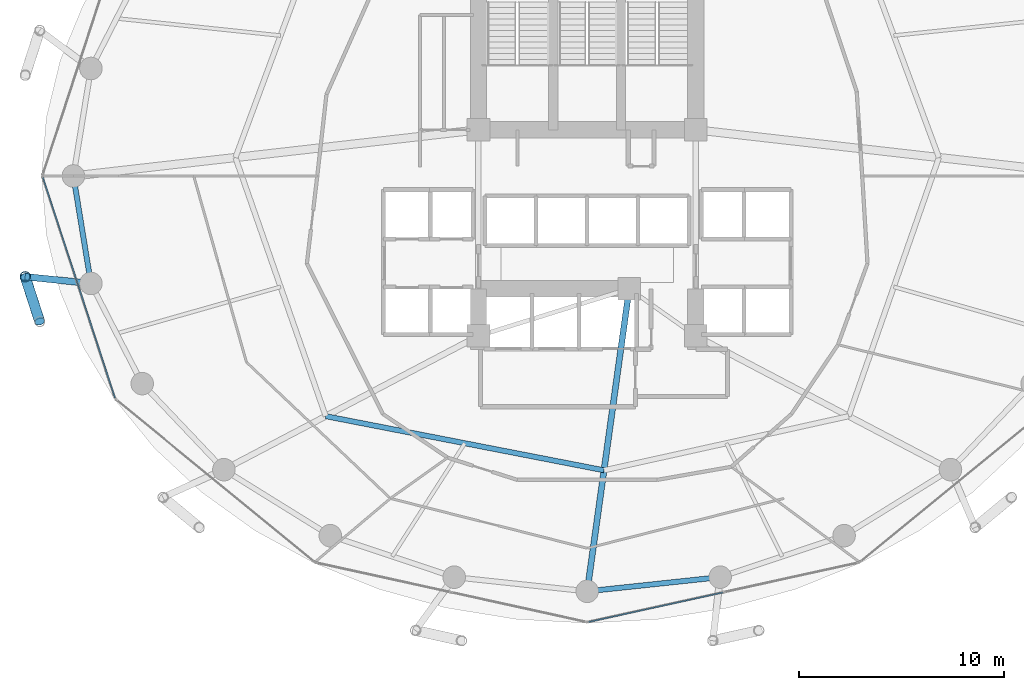
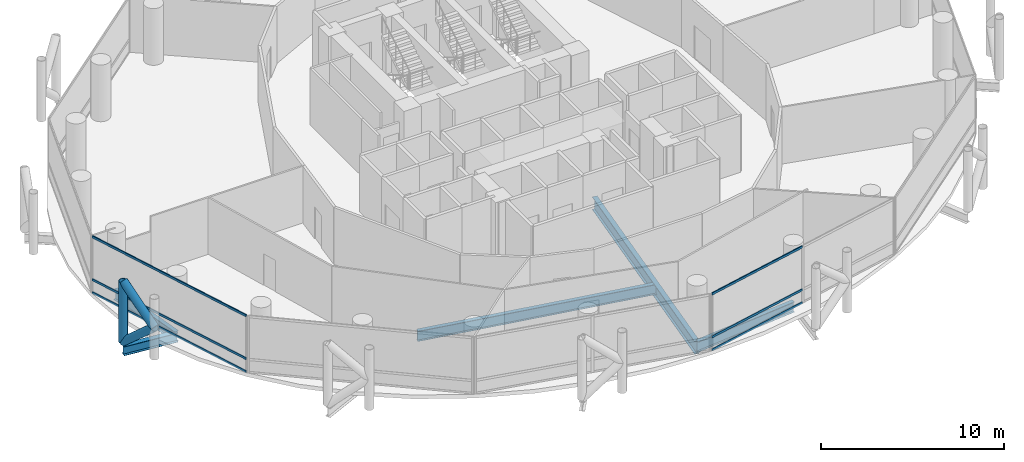
# One storey, part 5 of 24: 9 members, 5 beams, 2 elements without a shape of their own.
"""IFC4 building model written with IfcOpenShell, lengths in metres."""

from ifc_helpers import new_model, si_unit, direction, frame, origin, origin_2d, place, context, subcontext, project, spatial, hollow_rectangle, hollow_circle, i_section, extrude, material, layer, layer_set, material_profile, profile_set, type_object, element, aggregate, save


model = new_model("IFC4")

# Units and contexts
model_context = context("Model", 3, precision=1e-05, world=origin(), true_north=direction((0.0, 1.0)))
body_context = subcontext(model_context, "Body", "Model", "MODEL_VIEW")
ifc_project = project(units=[si_unit("LENGTHUNIT", "METRE"), si_unit("AREAUNIT", "SQUARE_METRE"), si_unit("VOLUMEUNIT", "CUBIC_METRE"), si_unit("PLANEANGLEUNIT", "RADIAN"), si_unit("MASSUNIT", "GRAM", prefix="KILO")], contexts=[model_context])

# Site, building, storey
site_placement = place(None, origin())
site = spatial("IfcSite", under=ifc_project, at=site_placement, CompositionType="ELEMENT")
building_placement = place(site_placement, origin())
building = spatial("IfcBuilding", under=site, at=building_placement, Name="Nuhasar Tower", CompositionType="ELEMENT")
storey_placement = place(building_placement, frame((0.0, 0.0, 33.14990234375)))
storey = spatial("IfcBuildingStorey", under=building, at=storey_placement, Name="L07", CompositionType="ELEMENT", Elevation=33.14990234375)

# Beams
ifc_material_1 = material(Name="Steel S355", Category="steel")
ifc_material_profile_1 = material_profile(ifc_material_1, i_section(OverallWidth=0.25390625, OverallDepth=0.68408203125, WebThickness=0.012451171875, FlangeThickness=0.018798828125, at=origin_2d()), Name="W27X94")
ifc_profile_set_1 = profile_set([ifc_material_profile_1], Name="Steel S355")
beam_type_1 = type_object("IfcBeamType", Name="BM-INRING-W27X94", PredefinedType="BEAM", material=ifc_profile_set_1)
beam_1_placement = place(storey_placement, frame((26.251953125, 15.089111328125, -0.601806640625), z_axis=(0.981602977761, -0.190933480695, 0.0), x_axis=(0.190933480695, 0.981602977761, 0.0)))
element("IfcBeam", 1, at=beam_1_placement, inside=storey, type_object=beam_type_1, Name="L07 Inner Header Beam 01", PredefinedType="BEAM", context=body_context, shape_type="SweptSolid", body=[
    extrude(i_section(OverallWidth=0.25390625, OverallDepth=0.68408203125, WebThickness=0.012451171875, FlangeThickness=0.018798828125, at=origin_2d()), origin(), (0.0, 0.0, 1.0), 13.822509765625),
])
ifc_material_profile_2 = material_profile(ifc_material_1, i_section(OverallWidth=0.2919921875, OverallDepth=0.85888671875, WebThickness=0.01708984375, FlangeThickness=0.031005859375, at=origin_2d()), Name="W33X169")
ifc_profile_set_2 = profile_set([ifc_material_profile_2], Name="Steel S355")
beam_type_2 = type_object("IfcBeamType", Name="BM-POD-W33X169", PredefinedType="BEAM", material=ifc_profile_set_2)
beam_2_placement = place(storey_placement, frame((41.050048828125, 21.300048828125, -0.68896484375), z_axis=(-0.137663087856, -0.990479113481, 0.0), x_axis=(0.990479113481, -0.137663087856, 0.0)))
element("IfcBeam", 2, at=beam_2_placement, inside=storey, type_object=beam_type_2, Name="L07 Radial Floor Girder 02", PredefinedType="BEAM", context=body_context, shape_type="SweptSolid", body=[
    extrude(i_section(OverallWidth=0.2919921875, OverallDepth=0.85888671875, WebThickness=0.01708984375, FlangeThickness=0.031005859375, at=origin_2d()), origin(), (0.0, 0.0, 1.0), 14.891845703125),
])
ifc_material_profile_3 = material_profile(ifc_material_1, i_section(OverallWidth=0.256103515625, OverallDepth=0.693115234375, WebThickness=0.014404296875, FlangeThickness=0.023681640625, at=origin_2d()), Name="W27X114")
ifc_profile_set_3 = profile_set([ifc_material_profile_3], Name="Steel S355")
beam_type_3 = type_object("IfcBeamType", Name="BM-RING-W27X114", PredefinedType="SPANDREL", material=ifc_profile_set_3)
beam_3_placement = place(storey_placement, frame((13.949951171875, 26.800048828125, -0.60595703125), z_axis=(0.160826635486, -0.986982671235, 0.0), x_axis=(0.986982671235, 0.160826635486, 0.0)))
element("IfcBeam", 3, at=beam_3_placement, inside=storey, type_object=beam_type_3, Name="L07 Perimeter Ring Spandrel 13", PredefinedType="SPANDREL", context=body_context, shape_type="SweptSolid", body=[
    extrude(i_section(OverallWidth=0.256103515625, OverallDepth=0.693115234375, WebThickness=0.014404296875, FlangeThickness=0.023681640625, at=origin_2d()), origin(), (0.0, 0.0, 1.0), 5.31005859375),
])
beam_4_placement = place(storey_placement, frame((39.0, 6.550048828125, -0.60595703125), z_axis=(0.994384554061, 0.105827022286, 0.0), x_axis=(-0.105827022286, 0.994384554061, 0.0)))
element("IfcBeam", 4, at=beam_4_placement, inside=storey, type_object=beam_type_3, Name="L07 Perimeter Ring Spandrel 19", PredefinedType="SPANDREL", context=body_context, shape_type="SweptSolid", body=[
    extrude(i_section(OverallWidth=0.256103515625, OverallDepth=0.693115234375, WebThickness=0.014404296875, FlangeThickness=0.023681640625, at=origin_2d()), origin(), (0.0, 0.0, 1.0), 6.51953125),
])
ifc_material_profile_4 = material_profile(ifc_material_1, i_section(OverallWidth=0.323974609375, OverallDepth=0.611083984375, WebThickness=0.0126953125, FlangeThickness=0.01904296875, at=origin_2d()), Name="W24X104")
ifc_profile_set_4 = profile_set([ifc_material_profile_4], Name="Steel S355")
beam_type_4 = type_object("IfcBeamType", Name="BM-TIE-W24X104", PredefinedType="BEAM", material=ifc_profile_set_4)
beam_5_placement = place(storey_placement, frame((14.803955078125, 21.55908203125, -0.56591796875), z_axis=(-0.994711572359, 0.102707778751, 0.0), x_axis=(-0.102707778751, -0.994711572359, 0.0)))
element("IfcBeam", 5, at=beam_5_placement, inside=storey, type_object=beam_type_4, Name="L07 Exoskeleton Node Tie Beam 07", PredefinedType="BEAM", context=body_context, shape_type="SweptSolid", body=[
    extrude(i_section(OverallWidth=0.323974609375, OverallDepth=0.611083984375, WebThickness=0.0126953125, FlangeThickness=0.01904296875, at=origin_2d()), origin(), (0.0, 0.0, 1.0), 3.220947265625),
])

# Curtain wall, members
ifc_material_2 = material(Name="Aluminium 6063-T6", Category="aluminium")
ifc_layer = layer(ifc_material_2, 0.199951171875)
ifc_layer_set = layer_set([ifc_layer], Name="Aluminium 6063-T6")
curtain_wall_type = type_object("IfcCurtainWallType", Name="CW-Z1-OFF", PredefinedType="NOTDEFINED", material=ifc_layer_set)
curtain_wall_1_placement = place(storey_placement, origin())
curtain_wall_1 = element("IfcCurtainWall", 6, at=curtain_wall_1_placement, inside=storey, type_object=curtain_wall_type, Name="L07 Unitised Curtain Wall 07", PredefinedType="NOTDEFINED")
ifc_material_profile_5 = material_profile(ifc_material_2, hollow_rectangle(XDim=0.06494140625, YDim=0.14990234375, WallThickness=0.00439453125, at=origin_2d()), Name="CWT-2")
ifc_profile_set_5 = profile_set([ifc_material_profile_5], Name="Aluminium 6063-T6")
member_type_1 = type_object("IfcMemberType", Name="CW-TRN-S2", PredefinedType="USERDEFINED", material=ifc_profile_set_5)
member_1_placement = place(storey_placement, frame((12.460205078125, 26.73828125, 0.03271484375), z_axis=(0.310818687697, -0.950469222741, 0.0), x_axis=(0.950469222741, 0.310818687697, 0.0)))
member_1 = element("IfcMember", 7, at=member_1_placement, type_object=member_type_1, Name="CW-Z1 transom 1.1", ObjectType="TRANSOM", PredefinedType="USERDEFINED", context=body_context, shape_type="SweptSolid", body=[
    extrude(hollow_rectangle(XDim=0.06494140625, YDim=0.14990234375, WallThickness=0.00439453125, at=origin_2d()), origin(), (0.0, 0.0, 1.0), 11.317138671875),
])
member_2_placement = place(storey_placement, frame((12.460205078125, 26.73828125, 0.900146484375), z_axis=(0.310818687697, -0.950469222741, 0.0), x_axis=(0.950469222741, 0.310818687697, 0.0)))
member_2 = element("IfcMember", 8, at=member_2_placement, type_object=member_type_1, Name="CW-Z1 transom 1.2", ObjectType="TRANSOM", PredefinedType="USERDEFINED", context=body_context, shape_type="SweptSolid", body=[
    extrude(hollow_rectangle(XDim=0.06494140625, YDim=0.14990234375, WallThickness=0.00439453125, at=origin_2d()), origin(), (0.0, 0.0, 1.0), 11.317138671875),
])
member_3_placement = place(storey_placement, frame((12.460205078125, 26.73828125, 3.757568359375), z_axis=(0.310818687697, -0.950469222741, 0.0), x_axis=(0.950469222741, 0.310818687697, 0.0)))
member_3 = element("IfcMember", 9, at=member_3_placement, type_object=member_type_1, Name="CW-Z1 transom 1.3", ObjectType="TRANSOM", PredefinedType="USERDEFINED", context=body_context, shape_type="SweptSolid", body=[
    extrude(hollow_rectangle(XDim=0.06494140625, YDim=0.14990234375, WallThickness=0.00439453125, at=origin_2d()), origin(), (0.0, 0.0, 1.0), 11.317138671875),
])
aggregate(curtain_wall_1, [member_1, member_2, member_3])

curtain_wall_2_placement = place(storey_placement, origin())
curtain_wall_2 = element("IfcCurtainWall", 10, at=curtain_wall_2_placement, inside=storey, type_object=curtain_wall_type, Name="L07 Unitised Curtain Wall 10", PredefinedType="NOTDEFINED")
member_4_placement = place(storey_placement, frame((39.0634765625, 5.053955078125, 0.03271484375), z_axis=(0.976747879138, 0.214391185916, 0.0), x_axis=(-0.214391185916, 0.976747879138, 0.0)))
member_4 = element("IfcMember", 11, at=member_4_placement, type_object=member_type_1, Name="CW-Z1 transom 1.1", ObjectType="TRANSOM", PredefinedType="USERDEFINED", context=body_context, shape_type="SweptSolid", body=[
    extrude(hollow_rectangle(XDim=0.06494140625, YDim=0.14990234375, WallThickness=0.00439453125, at=origin_2d()), origin(), (0.0, 0.0, 1.0), 6.700439453125),
])
member_5_placement = place(storey_placement, frame((39.0634765625, 5.053955078125, 0.900146484375), z_axis=(0.976747879138, 0.214391185916, 0.0), x_axis=(-0.214391185916, 0.976747879138, 0.0)))
member_5 = element("IfcMember", 12, at=member_5_placement, type_object=member_type_1, Name="CW-Z1 transom 1.2", ObjectType="TRANSOM", PredefinedType="USERDEFINED", context=body_context, shape_type="SweptSolid", body=[
    extrude(hollow_rectangle(XDim=0.06494140625, YDim=0.14990234375, WallThickness=0.00439453125, at=origin_2d()), origin(), (0.0, 0.0, 1.0), 6.700439453125),
])
member_6_placement = place(storey_placement, frame((39.0634765625, 5.053955078125, 3.757568359375), z_axis=(0.976747879138, 0.214391185916, 0.0), x_axis=(-0.214391185916, 0.976747879138, 0.0)))
member_6 = element("IfcMember", 13, at=member_6_placement, type_object=member_type_1, Name="CW-Z1 transom 1.3", ObjectType="TRANSOM", PredefinedType="USERDEFINED", context=body_context, shape_type="SweptSolid", body=[
    extrude(hollow_rectangle(XDim=0.06494140625, YDim=0.14990234375, WallThickness=0.00439453125, at=origin_2d()), origin(), (0.0, 0.0, 1.0), 6.700439453125),
])
aggregate(curtain_wall_2, [member_4, member_5, member_6])

# Members
ifc_material_3 = material(Name="Steel S460", Category="steel")
ifc_material_profile_6 = material_profile(ifc_material_3, hollow_circle(Radius=0.25390625, WallThickness=0.025390625, at=origin_2d()), Name="HSS508X25.4")
ifc_profile_set_6 = profile_set([ifc_material_profile_6], Name="Steel S460")
member_type_2 = type_object("IfcMemberType", Name="EXO-BRONZE-508", PredefinedType="BRACE", material=ifc_profile_set_6)
member_7_placement = place(storey_placement, frame((11.60009765625, 21.889892578125, 0.0), z_axis=(0.0, 0.0, 1.0), x_axis=(1.0, 0.0, 0.0)))
element("IfcMember", 14, at=member_7_placement, inside=storey, type_object=member_type_2, Name="L07 Exoskeleton Chord Column EC-07A", PredefinedType="BRACE", context=body_context, shape_type="SweptSolid", body=[
    extrude(hollow_circle(Radius=0.25390625, WallThickness=0.025390625, at=origin_2d()), origin(), (0.0, 0.0, 1.0), 4.050048828125),
])
member_8_placement = place(storey_placement, frame((11.60009765625, 21.889892578125, 0.0), z_axis=(0.230999678299, -0.714187281251, 0.660738734997), x_axis=(0.951468282519, 0.307746823478, 0.0)))
element("IfcMember", 15, at=member_8_placement, inside=storey, type_object=member_type_2, Name="L07 Bronze Diagrid Brace W1-07", PredefinedType="BRACE", context=body_context, shape_type="SweptSolid", body=[
    extrude(hollow_circle(Radius=0.25390625, WallThickness=0.025390625, at=origin_2d()), origin(), (0.0, 0.0, 1.0), 3.06494140625),
])
member_9_placement = place(storey_placement, frame((12.30810546875, 19.700927734375, 2.025146484375), z_axis=(-0.231011836313, 0.714224870475, 0.660693851854), x_axis=(-0.951468282519, -0.307746823478, 0.0)))
element("IfcMember", 16, at=member_9_placement, inside=storey, type_object=member_type_2, Name="L07 Bronze Diagrid Brace W2-07", PredefinedType="BRACE", context=body_context, shape_type="SweptSolid", body=[
    extrude(hollow_circle(Radius=0.25390625, WallThickness=0.025390625, at=origin_2d()), origin(), (0.0, 0.0, 1.0), 3.064697265625),
])

save(model, "model.ifc")
